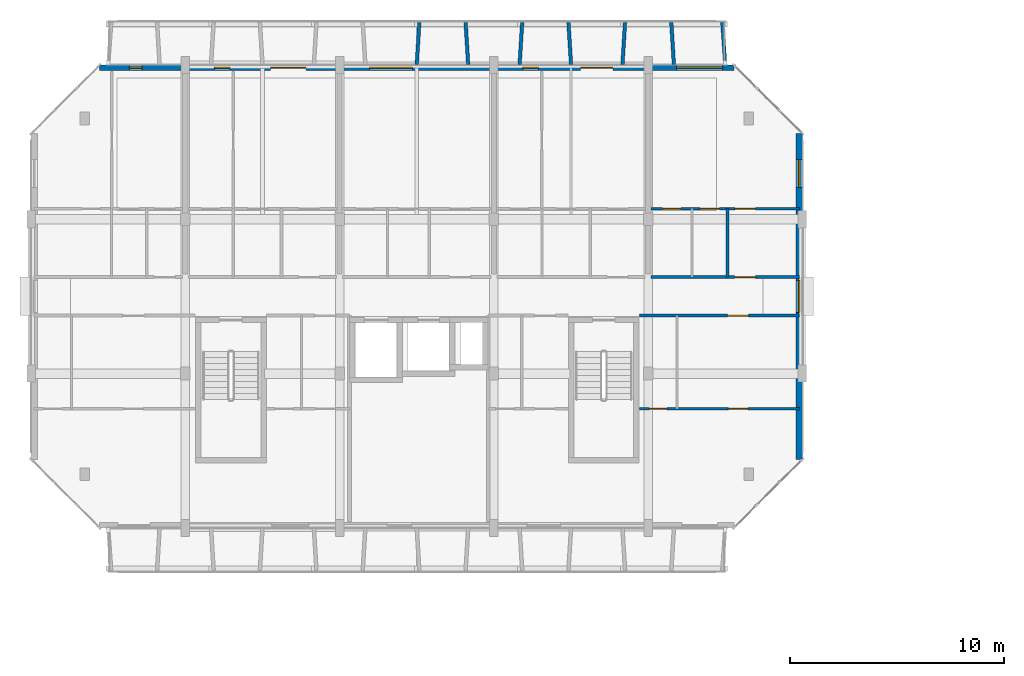
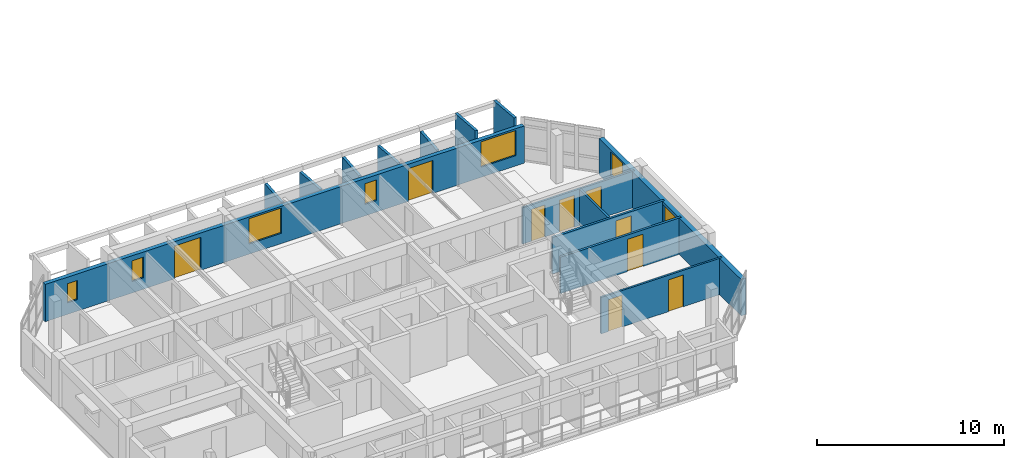
# One storey, part 22 of 45: 14 walls, 9 doors, 7 windows, 16 openings.
"""IFC4 building model written with IfcOpenShell, lengths in metres."""

from ifc_helpers import new_model, si_unit, direction, frame, frame_2d, origin, place, context, subcontext, project, spatial, rectangle, extrude, material, layer, layer_set, type_object, element, fill, save


model = new_model("IFC4")

# Units and contexts
model_context = context("Model", 3, precision=1e-05, world=origin(), true_north=direction((0.0, 1.0)))
body_context = subcontext(model_context, "Body", "Model", "MODEL_VIEW")
ifc_project = project(units=[si_unit("LENGTHUNIT", "METRE"), si_unit("AREAUNIT", "SQUARE_METRE"), si_unit("VOLUMEUNIT", "CUBIC_METRE"), si_unit("PLANEANGLEUNIT", "RADIAN"), si_unit("MASSUNIT", "GRAM", prefix="KILO")], contexts=[model_context])

# Site, building, storey
site_placement = place(None, origin())
site = spatial("IfcSite", under=ifc_project, at=site_placement, CompositionType="ELEMENT")
building_placement = place(site_placement, origin())
building = spatial("IfcBuilding", under=site, at=building_placement, Name="Ochrevale Crest", CompositionType="ELEMENT")
storey_placement = place(building_placement, frame((0.0, 0.0, 18.14990234375)))
storey = spatial("IfcBuildingStorey", under=building, at=storey_placement, Name="L05", CompositionType="ELEMENT", Elevation=18.14990234375)

# Wall, opening, door
ifc_material_1 = material(Name="Gypsum plasterboard", Category="gypsum")
ifc_layer_1 = layer(ifc_material_1, 0.139892578125)
ifc_layer_set_1 = layer_set([ifc_layer_1], Name="Gypsum plasterboard")
wall_type_1 = type_object("IfcWallType", Name="WL-COR-140", PredefinedType="PARTITIONING", material=ifc_layer_set_1)
wall_1_placement = place(storey_placement, frame((28.93994140625, 83.699951171875, 0.0), z_axis=(0.0, 0.0, 1.0), x_axis=(1.0, 0.0, 0.0)))
wall_1 = element("IfcWall", 1, at=wall_1_placement, inside=storey, type_object=wall_type_1, Name="Apartment B-L05-U5 corridor wall", PredefinedType="PARTITIONING", context=body_context, shape_type="SweptSolid", body=[
    extrude(rectangle(XDim=6.920166015625, YDim=0.139892578125, at=frame_2d((3.4599609375, 0.0))), origin(), (0.0, 0.0, 1.0), 2.380126953125),
])
opening_1_placement = place(wall_1_placement, frame((4.875, 0.0, 0.0), z_axis=(0.0, 0.0, 1.0), x_axis=(-1.0, 0.0, 0.0)))
opening_1 = element("IfcOpeningElement", 2, at=opening_1_placement, cuts=wall_1, Name="Opening FD01", PredefinedType="OPENING", context=body_context, shape_type="SweptSolid", body=[
    extrude(rectangle(XDim=0.97998046875, YDim=2.10009765625, at=frame_2d((0.489990234375, 1.050048828125))), frame((0.0, 0.080078125, 0.0), z_axis=(0.0, -1.0, 0.0), x_axis=(1.0, 0.0, 0.0)), (0.0, 0.0, 1.0), 0.159912109375),
])
ifc_material_2 = material(Name="Solid-core FSC hardwood", Category="wood")
door_type_1 = type_object("IfcDoorType", Name="DR-APT-950", OperationType="NOTDEFINED", PredefinedType="DOOR", material=ifc_material_2)
door_1_placement = place(opening_1_placement, origin())
door_1 = element("IfcDoor", 3, at=door_1_placement, inside=storey, type_object=door_type_1, Name="Apartment B-L05-U5 entrance door", OperationType="SINGLE_SWING_RIGHT", OverallHeight=2.10009765625, OverallWidth=0.97998046875, PredefinedType="DOOR", context=body_context, shape_type="SweptSolid", body=[
    extrude(rectangle(XDim=0.97998046875, YDim=2.10009765625, at=frame_2d((0.489990234375, 1.050048828125))), frame((0.0, 0.02490234375, 0.0), z_axis=(0.0, -1.0, 0.0), x_axis=(1.0, 0.0, 0.0)), (0.0, 0.0, 1.0), 0.050048828125),
])
fill(opening_1, door_1)

wall_2_placement = place(storey_placement, frame((28.389892578125, 81.89990234375, 0.0), z_axis=(0.0, 0.0, 1.0), x_axis=(1.0, 0.0, 0.0)))
wall_2 = element("IfcWall", 4, at=wall_2_placement, inside=storey, type_object=wall_type_1, Name="Suite B-L05-CE corridor wall", PredefinedType="PARTITIONING", context=body_context, shape_type="SweptSolid", body=[
    extrude(rectangle(XDim=7.47021484375, YDim=0.139892578125, at=frame_2d((3.735107421875, 0.0))), origin(), (0.0, 0.0, 1.0), 2.380126953125),
])
opening_2_placement = place(wall_2_placement, frame((4.1201171875, 0.0, 0.0)))
opening_2 = element("IfcOpeningElement", 5, at=opening_2_placement, cuts=wall_2, Name="Opening FD01", PredefinedType="OPENING", context=body_context, shape_type="SweptSolid", body=[
    extrude(rectangle(XDim=0.97998046875, YDim=2.10009765625, at=frame_2d((0.489990234375, 1.050048828125))), frame((0.0, 0.080078125, 0.0), z_axis=(0.0, -1.0, 0.0), x_axis=(1.0, 0.0, 0.0)), (0.0, 0.0, 1.0), 0.159912109375),
])
door_2_placement = place(opening_2_placement, origin())
door_2 = element("IfcDoor", 6, at=door_2_placement, inside=storey, type_object=door_type_1, Name="Suite B-L05-CE entrance door", OperationType="SINGLE_SWING_LEFT", OverallHeight=2.10009765625, OverallWidth=0.97998046875, PredefinedType="DOOR", context=body_context, shape_type="SweptSolid", body=[
    extrude(rectangle(XDim=0.97998046875, YDim=2.10009765625, at=frame_2d((0.489990234375, 1.050048828125))), frame((0.0, 0.02490234375, 0.0), z_axis=(0.0, -1.0, 0.0), x_axis=(1.0, 0.0, 0.0)), (0.0, 0.0, 1.0), 0.050048828125),
])
fill(opening_2, door_2)

# Wall, openings, windows
ifc_material_3 = material(Name="Clay face brickwork", Category="masonry")
ifc_layer_2 = layer(ifc_material_3, 0.2900390625)
ifc_layer_set_2 = layer_set([ifc_layer_2], Name="Clay face brickwork")
wall_type_2 = type_object("IfcWallType", Name="WL-EXT-BRICK-290", PredefinedType="SOLIDWALL", material=ifc_layer_set_2)
wall_3_placement = place(storey_placement, frame((35.85498046875, 75.199951171875, 0.0), z_axis=(0.0, 0.0, 1.0), x_axis=(0.0, 1.0, 0.0)))
wall_3 = element("IfcWall", 7, at=wall_3_placement, inside=storey, type_object=wall_type_2, Name="Block B L05 external facade wall E3", PredefinedType="SOLIDWALL", context=body_context, shape_type="SweptSolid", body=[
    extrude(rectangle(XDim=15.199951171875, YDim=0.2900390625, at=frame_2d((7.60009765625, 0.0))), origin(), (0.0, 0.0, 1.0), 2.380126953125),
])
opening_3_placement = place(wall_3_placement, frame((6.85009765625, 0.0, 1.050048828125)))
opening_3 = element("IfcOpeningElement", 8, at=opening_3_placement, cuts=wall_3, Name="Opening W18", PredefinedType="OPENING", context=body_context, shape_type="SweptSolid", body=[
    extrude(rectangle(XDim=1.5, YDim=1.14990234375, at=frame_2d((0.75, 0.574951171875))), frame((0.0, 0.155029296875, 0.0), z_axis=(0.0, -1.0, 0.0), x_axis=(1.0, 0.0, 0.0)), (0.0, 0.0, 1.0), 0.31005859375),
])
opening_4_placement = place(wall_3_placement, frame((12.68505859375, 0.0, 0.719970703125)))
opening_4 = element("IfcOpeningElement", 9, at=opening_4_placement, cuts=wall_3, Name="Opening W30", PredefinedType="OPENING", context=body_context, shape_type="SweptSolid", body=[
    extrude(rectangle(XDim=1.300048828125, YDim=1.550048828125, at=frame_2d((0.64990234375, 0.77490234375))), frame((0.0, 0.155029296875, 0.0), z_axis=(0.0, -1.0, 0.0), x_axis=(1.0, 0.0, 0.0)), (0.0, 0.0, 1.0), 0.31005859375),
])
ifc_material_4 = material(Name="Anodised aluminium 6063-T5 and low-E double glazing", Category="aluminium")
window_type_1 = type_object("IfcWindowType", Name="WIN-W18", PartitioningType="SINGLE_PANEL", PredefinedType="WINDOW", material=ifc_material_4)
window_1_placement = place(opening_3_placement, origin())
window_1 = element("IfcWindow", 10, at=window_1_placement, inside=storey, type_object=window_type_1, Name="Block B L05 corridor end daylight window E", OverallHeight=1.14990234375, OverallWidth=1.5, PartitioningType="SINGLE_PANEL", PredefinedType="WINDOW", context=body_context, shape_type="SweptSolid", body=[
    extrude(rectangle(XDim=1.5, YDim=1.14990234375, at=frame_2d((0.75, 0.574951171875))), frame((0.0, 0.030029296875, 0.0), z_axis=(0.0, -1.0, 0.0), x_axis=(1.0, 0.0, 0.0)), (0.0, 0.0, 1.0), 0.06005859375),
])
fill(opening_3, window_1)
window_type_2 = type_object("IfcWindowType", Name="WIN-W30", PartitioningType="SINGLE_PANEL", PredefinedType="WINDOW", material=ifc_material_4)
window_2_placement = place(opening_4_placement, origin())
window_2 = element("IfcWindow", 11, at=window_2_placement, inside=storey, type_object=window_type_2, Name="Block B L05 side suite window E", OverallHeight=1.550048828125, OverallWidth=1.300048828125, PartitioningType="SINGLE_PANEL", PredefinedType="WINDOW", context=body_context, shape_type="SweptSolid", body=[
    extrude(rectangle(XDim=1.300048828125, YDim=1.550048828125, at=frame_2d((0.64990234375, 0.77490234375))), frame((0.0, 0.030029296875, 0.0), z_axis=(0.0, -1.0, 0.0), x_axis=(1.0, 0.0, 0.0)), (0.0, 0.0, 1.0), 0.06005859375),
])
fill(opening_4, window_2)

# Wall, openings, doors, windows
ifc_material_5 = material(Name="Precast concrete C40/50", Category="concrete")
ifc_layer_3 = layer(ifc_material_5, 0.25)
ifc_layer_set_3 = layer_set([ifc_layer_3], Name="Precast concrete C40/50")
wall_type_3 = type_object("IfcWallType", Name="WL-EXT-GOLD-250", PredefinedType="SOLIDWALL", material=ifc_layer_set_3)
wall_4_placement = place(storey_placement, frame((32.800048828125, 93.47509765625, 0.0), z_axis=(0.0, 0.0, 1.0), x_axis=(-1.0, 0.0, 0.0)))
wall_4 = element("IfcWall", 12, at=wall_4_placement, inside=storey, type_object=wall_type_3, Name="Block B L05 external facade wall E5", PredefinedType="SOLIDWALL", context=body_context, shape_type="SweptSolid", body=[
    extrude(rectangle(XDim=29.60009765625, YDim=0.25, at=frame_2d((14.800048828125, 0.0))), origin(), (0.0, 0.0, 1.0), 2.43017578125),
])
opening_5_placement = place(wall_4_placement, frame((21.625, 0.0, 0.0), z_axis=(0.0, 0.0, 1.0), x_axis=(-1.0, 0.0, 0.0)))
opening_5 = element("IfcOpeningElement", 13, at=opening_5_placement, cuts=wall_4, Name="Opening BD02", PredefinedType="OPENING", context=body_context, shape_type="SweptSolid", body=[
    extrude(rectangle(XDim=1.64990234375, YDim=2.14990234375, at=frame_2d((0.824951171875, 1.074951171875))), frame((0.0, 0.135009765625, 0.0), z_axis=(0.0, -1.0, 0.0), x_axis=(1.0, 0.0, 0.0)), (0.0, 0.0, 1.0), 0.27001953125),
])
opening_6_placement = place(wall_4_placement, frame((7.14990234375, 0.0, 0.0), z_axis=(0.0, 0.0, 1.0), x_axis=(-1.0, 0.0, 0.0)))
opening_6 = element("IfcOpeningElement", 14, at=opening_6_placement, cuts=wall_4, Name="Opening BD01", PredefinedType="OPENING", context=body_context, shape_type="SweptSolid", body=[
    extrude(rectangle(XDim=1.5, YDim=2.14990234375, at=frame_2d((0.75, 1.074951171875))), frame((0.0, 0.135009765625, 0.0), z_axis=(0.0, -1.0, 0.0), x_axis=(1.0, 0.0, 0.0)), (0.0, 0.0, 1.0), 0.27001953125),
])
opening_7_placement = place(wall_4_placement, frame((27.614990234375, 0.0, 0.75)))
opening_7 = element("IfcOpeningElement", 15, at=opening_7_placement, cuts=wall_4, Name="Opening W01", PredefinedType="OPENING", context=body_context, shape_type="SweptSolid", body=[
    extrude(rectangle(XDim=0.60009765625, YDim=1.25, at=frame_2d((0.300048828125, 0.625))), frame((0.0, 0.135009765625, 0.0), z_axis=(0.0, -1.0, 0.0), x_axis=(1.0, 0.0, 0.0)), (0.0, 0.0, 1.0), 0.27001953125),
])
opening_8_placement = place(wall_4_placement, frame((23.52490234375, 0.0, 0.75)))
opening_8 = element("IfcOpeningElement", 16, at=opening_8_placement, cuts=wall_4, Name="Opening W02", PredefinedType="OPENING", context=body_context, shape_type="SweptSolid", body=[
    extrude(rectangle(XDim=0.719970703125, YDim=1.35009765625, at=frame_2d((0.35986328125, 0.675048828125))), frame((0.0, 0.135009765625, 0.0), z_axis=(0.0, -1.0, 0.0), x_axis=(1.0, 0.0, 0.0)), (0.0, 0.0, 1.0), 0.27001953125),
])
opening_9_placement = place(wall_4_placement, frame((15.0, 0.0, 0.669921875)))
opening_9 = element("IfcOpeningElement", 17, at=opening_9_placement, cuts=wall_4, Name="Opening W12", PredefinedType="OPENING", context=body_context, shape_type="SweptSolid", body=[
    extrude(rectangle(XDim=2.0, YDim=1.64990234375, at=frame_2d((1.0, 0.824951171875))), frame((0.0, 0.135009765625, 0.0), z_axis=(0.0, -1.0, 0.0), x_axis=(1.0, 0.0, 0.0)), (0.0, 0.0, 1.0), 0.27001953125),
])
opening_10_placement = place(wall_4_placement, frame((9.125, 0.0, 0.75)))
opening_10 = element("IfcOpeningElement", 18, at=opening_10_placement, cuts=wall_4, Name="Opening W02", PredefinedType="OPENING", context=body_context, shape_type="SweptSolid", body=[
    extrude(rectangle(XDim=0.719970703125, YDim=1.35009765625, at=frame_2d((0.35986328125, 0.675048828125))), frame((0.0, 0.135009765625, 0.0), z_axis=(0.0, -1.0, 0.0), x_axis=(1.0, 0.0, 0.0)), (0.0, 0.0, 1.0), 0.27001953125),
])
opening_11_placement = place(wall_4_placement, frame((0.52490234375, 0.0, 0.669921875)))
opening_11 = element("IfcOpeningElement", 19, at=opening_11_placement, cuts=wall_4, Name="Opening W13", PredefinedType="OPENING", context=body_context, shape_type="SweptSolid", body=[
    extrude(rectangle(XDim=2.14990234375, YDim=1.64990234375, at=frame_2d((1.074951171875, 0.824951171875))), frame((0.0, 0.135009765625, 0.0), z_axis=(0.0, -1.0, 0.0), x_axis=(1.0, 0.0, 0.0)), (0.0, 0.0, 1.0), 0.27001953125),
])
ifc_material_6 = material(Name="Anodised aluminium 6063-T5 and toughened glass", Category="aluminium")
door_type_2 = type_object("IfcDoorType", Name="DR-BAL-1500", OperationType="NOTDEFINED", PredefinedType="DOOR", material=ifc_material_6)
door_3_placement = place(opening_6_placement, origin())
door_3 = element("IfcDoor", 20, at=door_3_placement, inside=storey, type_object=door_type_2, Name="Block B L05 balcony door N4", OperationType="SINGLE_SWING_LEFT", OverallHeight=2.14990234375, OverallWidth=1.5, PredefinedType="DOOR", context=body_context, shape_type="SweptSolid", body=[
    extrude(rectangle(XDim=1.5, YDim=2.14990234375, at=frame_2d((0.75, 1.074951171875))), frame((0.0, 0.02490234375, 0.0), z_axis=(0.0, -1.0, 0.0), x_axis=(1.0, 0.0, 0.0)), (0.0, 0.0, 1.0), 0.050048828125),
])
fill(opening_6, door_3)
door_type_3 = type_object("IfcDoorType", Name="DR-BAL-1650", OperationType="NOTDEFINED", PredefinedType="DOOR", material=ifc_material_6)
door_4_placement = place(opening_5_placement, origin())
door_4 = element("IfcDoor", 21, at=door_4_placement, inside=storey, type_object=door_type_3, Name="Block B L05 balcony door N2", OperationType="SINGLE_SWING_RIGHT", OverallHeight=2.14990234375, OverallWidth=1.64990234375, PredefinedType="DOOR", context=body_context, shape_type="SweptSolid", body=[
    extrude(rectangle(XDim=1.64990234375, YDim=2.14990234375, at=frame_2d((0.824951171875, 1.074951171875))), frame((0.0, 0.02490234375, 0.0), z_axis=(0.0, -1.0, 0.0), x_axis=(1.0, 0.0, 0.0)), (0.0, 0.0, 1.0), 0.050048828125),
])
fill(opening_5, door_4)
window_type_3 = type_object("IfcWindowType", Name="WIN-W01", PartitioningType="SINGLE_PANEL", PredefinedType="WINDOW", material=ifc_material_4)
window_3_placement = place(opening_7_placement, origin())
window_3 = element("IfcWindow", 22, at=window_3_placement, inside=storey, type_object=window_type_3, Name="Block B L05 Apartment B-L05-U1 One Bedroom Living Room window", OverallHeight=1.25, OverallWidth=0.60009765625, PartitioningType="SINGLE_PANEL", PredefinedType="WINDOW", context=body_context, shape_type="SweptSolid", body=[
    extrude(rectangle(XDim=0.60009765625, YDim=1.25, at=frame_2d((0.300048828125, 0.625))), frame((0.0, 0.030029296875, 0.0), z_axis=(0.0, -1.0, 0.0), x_axis=(1.0, 0.0, 0.0)), (0.0, 0.0, 1.0), 0.06005859375),
])
fill(opening_7, window_3)
window_type_4 = type_object("IfcWindowType", Name="WIN-W02", PartitioningType="SINGLE_PANEL", PredefinedType="WINDOW", material=ifc_material_4)
window_4_placement = place(opening_8_placement, origin())
window_4 = element("IfcWindow", 23, at=window_4_placement, inside=storey, type_object=window_type_4, Name="Block B L05 Apartment B-L05-U2 Twin Bedroom window", OverallHeight=1.35009765625, OverallWidth=0.719970703125, PartitioningType="SINGLE_PANEL", PredefinedType="WINDOW", context=body_context, shape_type="SweptSolid", body=[
    extrude(rectangle(XDim=0.719970703125, YDim=1.35009765625, at=frame_2d((0.35986328125, 0.675048828125))), frame((0.0, 0.030029296875, 0.0), z_axis=(0.0, -1.0, 0.0), x_axis=(1.0, 0.0, 0.0)), (0.0, 0.0, 1.0), 0.06005859375),
])
fill(opening_8, window_4)
window_5_placement = place(opening_10_placement, origin())
window_5 = element("IfcWindow", 24, at=window_5_placement, inside=storey, type_object=window_type_4, Name="Block B L05 Apartment B-L05-U4 Master Bedroom window", OverallHeight=1.35009765625, OverallWidth=0.719970703125, PartitioningType="SINGLE_PANEL", PredefinedType="WINDOW", context=body_context, shape_type="SweptSolid", body=[
    extrude(rectangle(XDim=0.719970703125, YDim=1.35009765625, at=frame_2d((0.35986328125, 0.675048828125))), frame((0.0, 0.030029296875, 0.0), z_axis=(0.0, -1.0, 0.0), x_axis=(1.0, 0.0, 0.0)), (0.0, 0.0, 1.0), 0.06005859375),
])
fill(opening_10, window_5)
window_type_5 = type_object("IfcWindowType", Name="WIN-W12", PartitioningType="SINGLE_PANEL", PredefinedType="WINDOW", material=ifc_material_4)
window_6_placement = place(opening_9_placement, origin())
window_6 = element("IfcWindow", 25, at=window_6_placement, inside=storey, type_object=window_type_5, Name="Block B L05 Studio B-L05-U3 Living Room window", OverallHeight=1.64990234375, OverallWidth=2.0, PartitioningType="SINGLE_PANEL", PredefinedType="WINDOW", context=body_context, shape_type="SweptSolid", body=[
    extrude(rectangle(XDim=2.0, YDim=1.64990234375, at=frame_2d((1.0, 0.824951171875))), frame((0.0, 0.030029296875, 0.0), z_axis=(0.0, -1.0, 0.0), x_axis=(1.0, 0.0, 0.0)), (0.0, 0.0, 1.0), 0.06005859375),
])
fill(opening_9, window_6)
window_type_6 = type_object("IfcWindowType", Name="WIN-W13", PartitioningType="SINGLE_PANEL", PredefinedType="WINDOW", material=ifc_material_4)
window_7_placement = place(opening_11_placement, origin())
window_7 = element("IfcWindow", 26, at=window_7_placement, inside=storey, type_object=window_type_6, Name="Block B L05 Studio B-L05-U5 Living Room window", OverallHeight=1.64990234375, OverallWidth=2.14990234375, PartitioningType="SINGLE_PANEL", PredefinedType="WINDOW", context=body_context, shape_type="SweptSolid", body=[
    extrude(rectangle(XDim=2.14990234375, YDim=1.64990234375, at=frame_2d((1.074951171875, 0.824951171875))), frame((0.0, 0.030029296875, 0.0), z_axis=(0.0, -1.0, 0.0), x_axis=(1.0, 0.0, 0.0)), (0.0, 0.0, 1.0), 0.06005859375),
])
fill(opening_11, window_7)

# Walls
ifc_layer_4 = layer(ifc_material_5, 0.1650390625)
ifc_layer_set_4 = layer_set([ifc_layer_4], Name="Precast concrete C40/50")
wall_type_4 = type_object("IfcWallType", Name="WL-HC-CHEEK-165", PredefinedType="ELEMENTEDWALL", material=ifc_layer_set_4)
for number, where, z_axis, x_axis, name in (
    (27, (18.0, 93.6201171875, 0.0), (0.0, 0.0, 1.0), (0.061170732449, 0.998127317276, 0.0), "Block B L05 N precast honeycomb cheek 7"),
    (28, (20.39990234375, 93.6201171875, 0.0), (0.0, 0.0, 1.0), (-0.061046865508, 0.998134900808, 0.0), "Block B L05 N precast honeycomb cheek 8"),
):
    element("IfcWall", number, at=place(storey_placement, frame(where, z_axis=z_axis, x_axis=x_axis)), inside=storey, type_object=wall_type_4, Name=name, PredefinedType="ELEMENTEDWALL", context=body_context, shape_type="SweptSolid", body=[
        extrude(rectangle(XDim=1.963623046875, YDim=0.1650390625, at=frame_2d((0.98193359375, 0.0))), origin(), (0.0, 0.0, 1.0), 2.47998046875),
    ])
for number, where, z_axis, x_axis, name in (
    (29, (22.800048828125, 93.6201171875, 0.0), (0.0, 0.0, 1.0), (0.061046865508, 0.998134900808, 0.0), "Block B L05 N precast honeycomb cheek 9"),
    (30, (25.199951171875, 93.6201171875, 0.0), (0.0, 0.0, 1.0), (-0.061046865508, 0.998134900808, 0.0), "Block B L05 N precast honeycomb cheek 10"),
    (31, (27.60009765625, 93.6201171875, 0.0), (0.0, 0.0, 1.0), (0.061046865508, 0.998134900808, 0.0), "Block B L05 N precast honeycomb cheek 11"),
):
    element("IfcWall", number, at=place(storey_placement, frame(where, z_axis=z_axis, x_axis=x_axis)), inside=storey, type_object=wall_type_4, Name=name, PredefinedType="ELEMENTEDWALL", context=body_context, shape_type="SweptSolid", body=[
        extrude(rectangle(XDim=1.963623046875, YDim=0.1650390625, at=frame_2d((0.98193359375, 0.0))), origin(), (0.0, 0.0, 1.0), 2.530029296875),
    ])
wall_5_placement = place(storey_placement, frame((30.0, 93.6201171875, 0.0), z_axis=(0.0, 0.0, 1.0), x_axis=(-0.061170732449, 0.998127317276, 0.0)))
element("IfcWall", 32, at=wall_5_placement, inside=storey, type_object=wall_type_4, Name="Block B L05 N precast honeycomb cheek 12", PredefinedType="ELEMENTEDWALL", context=body_context, shape_type="SweptSolid", body=[
    extrude(rectangle(XDim=1.963623046875, YDim=0.1650390625, at=frame_2d((0.98193359375, 0.0))), origin(), (0.0, 0.0, 1.0), 2.9501953125),
])
wall_6_placement = place(storey_placement, frame((32.39990234375, 93.6201171875, 0.0), z_axis=(0.0, 0.0, 1.0), x_axis=(-0.071194071069, 0.997462482625, 0.0)))
element("IfcWall", 33, at=wall_6_placement, inside=storey, type_object=wall_type_4, Name="Block B L05 N precast honeycomb cheek 13", PredefinedType="ELEMENTEDWALL", context=body_context, shape_type="SweptSolid", body=[
    extrude(rectangle(XDim=1.96484375, YDim=0.1650390625, at=frame_2d((0.982421875, 0.0))), origin(), (0.0, 0.0, 1.0), 2.9501953125),
])
ifc_layer_5 = layer(ifc_material_1, 0.1201171875)
ifc_layer_set_5 = layer_set([ifc_layer_5], Name="Gypsum plasterboard")
wall_type_5 = type_object("IfcWallType", Name="WL-PART-120", PredefinedType="PARTITIONING", material=ifc_layer_set_5)
wall_7_placement = place(storey_placement, frame((32.5, 83.699951171875, 0.0), z_axis=(0.0, 0.0, 1.0), x_axis=(0.0, 1.0, 0.0)))
element("IfcWall", 34, at=wall_7_placement, inside=storey, type_object=wall_type_5, Name="Apartment B-L05-U5 kitchen-foyer wall", PredefinedType="PARTITIONING", context=body_context, shape_type="SweptSolid", body=[
    extrude(rectangle(XDim=3.199951171875, YDim=0.1201171875, at=frame_2d((1.60009765625, 0.0))), origin(), (0.0, 0.0, 1.0), 2.375),
])

# Wall, openings, doors
wall_8_placement = place(storey_placement, frame((28.93994140625, 86.89990234375, 0.0), z_axis=(0.0, 0.0, 1.0), x_axis=(1.0, 0.0, 0.0)))
wall_8 = element("IfcWall", 35, at=wall_8_placement, inside=storey, type_object=wall_type_5, Name="Apartment B-L05-U5 central partition", PredefinedType="PARTITIONING", context=body_context, shape_type="SweptSolid", body=[
    extrude(rectangle(XDim=6.920166015625, YDim=0.1201171875, at=frame_2d((3.4599609375, 0.0))), origin(), (0.0, 0.0, 1.0), 2.380126953125),
])
opening_12_placement = place(wall_8_placement, frame((0.530029296875, 0.0, 0.0)))
opening_12 = element("IfcOpeningElement", 36, at=opening_12_placement, cuts=wall_8, Name="Opening ID01", PredefinedType="OPENING", context=body_context, shape_type="SweptSolid", body=[
    extrude(rectangle(XDim=0.85009765625, YDim=2.080078125, at=frame_2d((0.425048828125, 1.0400390625))), frame((0.0, 0.070068359375, 0.0), z_axis=(0.0, -1.0, 0.0), x_axis=(1.0, 0.0, 0.0)), (0.0, 0.0, 1.0), 0.14013671875),
])
opening_13_placement = place(wall_8_placement, frame((3.184814453125, 0.0, 0.0), z_axis=(0.0, 0.0, 1.0), x_axis=(-1.0, 0.0, 0.0)))
opening_13 = element("IfcOpeningElement", 37, at=opening_13_placement, cuts=wall_8, Name="Opening ID02", PredefinedType="OPENING", context=body_context, shape_type="SweptSolid", body=[
    extrude(rectangle(XDim=0.89990234375, YDim=2.080078125, at=frame_2d((0.449951171875, 1.0400390625))), frame((0.0, 0.070068359375, 0.0), z_axis=(0.0, -1.0, 0.0), x_axis=(1.0, 0.0, 0.0)), (0.0, 0.0, 1.0), 0.14013671875),
])
opening_14_placement = place(wall_8_placement, frame((3.909912109375, 0.0, 0.0)))
opening_14 = element("IfcOpeningElement", 38, at=opening_14_placement, cuts=wall_8, Name="Opening ID06", PredefinedType="OPENING", context=body_context, shape_type="SweptSolid", body=[
    extrude(rectangle(XDim=0.949951171875, YDim=2.080078125, at=frame_2d((0.47509765625, 1.0400390625))), frame((0.0, 0.070068359375, 0.0), z_axis=(0.0, -1.0, 0.0), x_axis=(1.0, 0.0, 0.0)), (0.0, 0.0, 1.0), 0.14013671875),
])
door_type_4 = type_object("IfcDoorType", Name="DR-INT-900", OperationType="NOTDEFINED", PredefinedType="DOOR", material=ifc_material_2)
door_5_placement = place(opening_13_placement, origin())
door_5 = element("IfcDoor", 39, at=door_5_placement, inside=storey, type_object=door_type_4, Name="Apartment B-L05-U5 Kitchen door", OperationType="SINGLE_SWING_RIGHT", OverallHeight=2.080078125, OverallWidth=0.89990234375, PredefinedType="DOOR", context=body_context, shape_type="SweptSolid", body=[
    extrude(rectangle(XDim=0.89990234375, YDim=2.080078125, at=frame_2d((0.449951171875, 1.0400390625))), frame((0.0, 0.02490234375, 0.0), z_axis=(0.0, -1.0, 0.0), x_axis=(1.0, 0.0, 0.0)), (0.0, 0.0, 1.0), 0.050048828125),
])
fill(opening_13, door_5)
door_type_5 = type_object("IfcDoorType", Name="DR-INT-950", OperationType="NOTDEFINED", PredefinedType="DOOR", material=ifc_material_2)
door_6_placement = place(opening_14_placement, origin())
door_6 = element("IfcDoor", 40, at=door_6_placement, inside=storey, type_object=door_type_5, Name="Apartment B-L05-U5 Living Foyer door", OperationType="SINGLE_SWING_LEFT", OverallHeight=2.080078125, OverallWidth=0.949951171875, PredefinedType="DOOR", context=body_context, shape_type="SweptSolid", body=[
    extrude(rectangle(XDim=0.949951171875, YDim=2.080078125, at=frame_2d((0.47509765625, 1.0400390625))), frame((0.0, 0.02490234375, 0.0), z_axis=(0.0, -1.0, 0.0), x_axis=(1.0, 0.0, 0.0)), (0.0, 0.0, 1.0), 0.050048828125),
])
fill(opening_14, door_6)
door_type_6 = type_object("IfcDoorType", Name="DR-WC-850", OperationType="NOTDEFINED", PredefinedType="DOOR", material=ifc_material_2)
door_7_placement = place(opening_12_placement, origin())
door_7 = element("IfcDoor", 41, at=door_7_placement, inside=storey, type_object=door_type_6, Name="Apartment B-L05-U5 Bathroom door", OperationType="SINGLE_SWING_LEFT", OverallHeight=2.080078125, OverallWidth=0.85009765625, PredefinedType="DOOR", context=body_context, shape_type="SweptSolid", body=[
    extrude(rectangle(XDim=0.85009765625, YDim=2.080078125, at=frame_2d((0.425048828125, 1.0400390625))), frame((0.0, 0.02490234375, 0.0), z_axis=(0.0, -1.0, 0.0), x_axis=(1.0, 0.0, 0.0)), (0.0, 0.0, 1.0), 0.050048828125),
])
fill(opening_12, door_7)

wall_9_placement = place(storey_placement, frame((28.389892578125, 77.550048828125, 0.0), z_axis=(0.0, 0.0, 1.0), x_axis=(1.0, 0.0, 0.0)))
wall_9 = element("IfcWall", 42, at=wall_9_placement, inside=storey, type_object=wall_type_5, Name="Suite B-L05-CE internal wall", PredefinedType="PARTITIONING", context=body_context, shape_type="SweptSolid", body=[
    extrude(rectangle(XDim=7.47021484375, YDim=0.1201171875, at=frame_2d((3.735107421875, 0.0))), origin(), (0.0, 0.0, 1.0), 2.380126953125),
])
opening_15_placement = place(wall_9_placement, frame((1.300048828125, 0.0, 0.0), z_axis=(0.0, 0.0, 1.0), x_axis=(-1.0, 0.0, 0.0)))
opening_15 = element("IfcOpeningElement", 43, at=opening_15_placement, cuts=wall_9, Name="Opening ID01", PredefinedType="OPENING", context=body_context, shape_type="SweptSolid", body=[
    extrude(rectangle(XDim=0.85009765625, YDim=2.080078125, at=frame_2d((0.425048828125, 1.0400390625))), frame((0.0, 0.070068359375, 0.0), z_axis=(0.0, -1.0, 0.0), x_axis=(1.0, 0.0, 0.0)), (0.0, 0.0, 1.0), 0.14013671875),
])
opening_16_placement = place(wall_9_placement, frame((4.14990234375, 0.0, 0.0)))
opening_16 = element("IfcOpeningElement", 44, at=opening_16_placement, cuts=wall_9, Name="Opening ID04", PredefinedType="OPENING", context=body_context, shape_type="SweptSolid", body=[
    extrude(rectangle(XDim=0.919921875, YDim=2.080078125, at=frame_2d((0.4599609375, 1.0400390625))), frame((0.0, 0.070068359375, 0.0), z_axis=(0.0, -1.0, 0.0), x_axis=(1.0, 0.0, 0.0)), (0.0, 0.0, 1.0), 0.14013671875),
])
door_type_7 = type_object("IfcDoorType", Name="DR-INT-920", OperationType="NOTDEFINED", PredefinedType="DOOR", material=ifc_material_2)
door_8_placement = place(opening_16_placement, origin())
door_8 = element("IfcDoor", 45, at=door_8_placement, inside=storey, type_object=door_type_7, Name="Suite B-L05-CE Master Bedroom door", OperationType="SINGLE_SWING_LEFT", OverallHeight=2.080078125, OverallWidth=0.919921875, PredefinedType="DOOR", context=body_context, shape_type="SweptSolid", body=[
    extrude(rectangle(XDim=0.919921875, YDim=2.080078125, at=frame_2d((0.4599609375, 1.0400390625))), frame((0.0, 0.02490234375, 0.0), z_axis=(0.0, -1.0, 0.0), x_axis=(1.0, 0.0, 0.0)), (0.0, 0.0, 1.0), 0.050048828125),
])
fill(opening_16, door_8)
door_9_placement = place(opening_15_placement, origin())
door_9 = element("IfcDoor", 46, at=door_9_placement, inside=storey, type_object=door_type_6, Name="Suite B-L05-CE Bathroom door", OperationType="SINGLE_SWING_RIGHT", OverallHeight=2.080078125, OverallWidth=0.85009765625, PredefinedType="DOOR", context=body_context, shape_type="SweptSolid", body=[
    extrude(rectangle(XDim=0.85009765625, YDim=2.080078125, at=frame_2d((0.425048828125, 1.0400390625))), frame((0.0, 0.02490234375, 0.0), z_axis=(0.0, -1.0, 0.0), x_axis=(1.0, 0.0, 0.0)), (0.0, 0.0, 1.0), 0.050048828125),
])
fill(opening_15, door_9)

save(model, "model.ifc")
